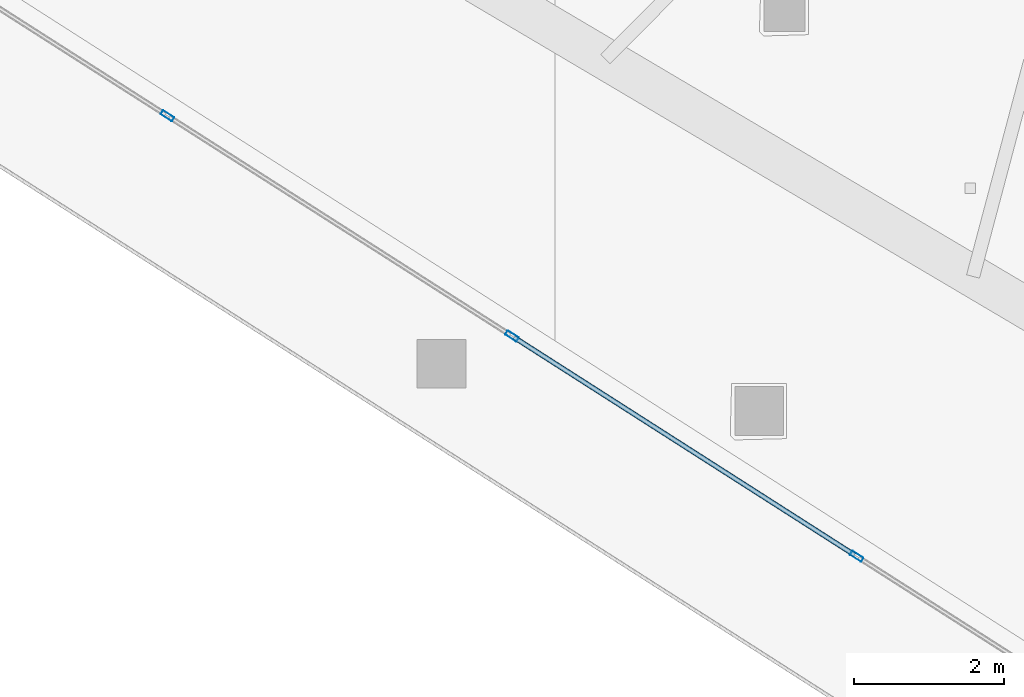
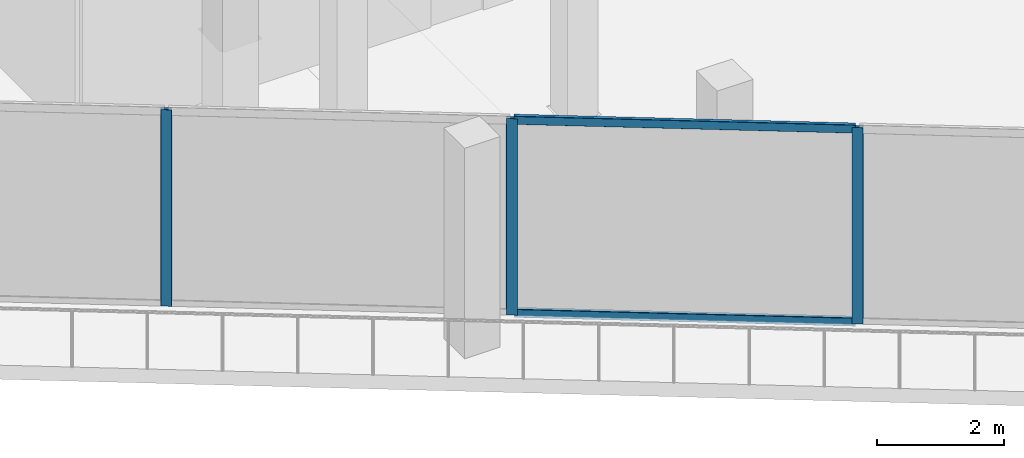
# One storey, part 2 of 38: 5 members, 1 element without a shape of its own.
"""IFC4 building model written with IfcOpenShell, lengths in metres."""

from ifc_helpers import new_model, si_unit, direction, frame, origin, origin_2d, place, context, subcontext, project, spatial, hollow_rectangle, extrude, material, layer, layer_set, material_profile, profile_set, type_object, element, aggregate, save


model = new_model("IFC4")

# Units and contexts
model_context = context("Model", 3, precision=1e-05, world=origin(), true_north=direction((0.0, 1.0)))
body_context = subcontext(model_context, "Body", "Model", "MODEL_VIEW")
ifc_project = project(units=[si_unit("LENGTHUNIT", "METRE"), si_unit("AREAUNIT", "SQUARE_METRE"), si_unit("VOLUMEUNIT", "CUBIC_METRE"), si_unit("PLANEANGLEUNIT", "RADIAN"), si_unit("MASSUNIT", "GRAM", prefix="KILO")], contexts=[model_context])

# Site, building, storey
site_placement = place(None, origin())
site = spatial("IfcSite", under=ifc_project, at=site_placement, CompositionType="ELEMENT")
building_placement = place(site_placement, origin())
building = spatial("IfcBuilding", under=site, at=building_placement, Name="Qorvath Tower", CompositionType="ELEMENT")
storey_placement = place(building_placement, frame((0.0, 0.0, 134.10009765625)))
storey = spatial("IfcBuildingStorey", under=building, at=storey_placement, Name="L30", CompositionType="ELEMENT", Elevation=134.10009765625)

# Curtain wall, members
ifc_material_1 = material(Name="Anodised aluminium and triple low-E glass", Category="aluminium")
ifc_layer = layer(ifc_material_1, 0.179931640625)
ifc_layer_set = layer_set([ifc_layer], Name="CW-SYS-3")
curtain_wall_type = type_object("IfcCurtainWallType", Name="CW-SYS-3", PredefinedType="NOTDEFINED", material=ifc_layer_set)
curtain_wall_placement = place(storey_placement, origin())
curtain_wall = element("IfcCurtainWall", 1, at=curtain_wall_placement, inside=storey, type_object=curtain_wall_type, Name="Curtain Wall CW-3 CW-T-L30-2.1", PredefinedType="NOTDEFINED")
ifc_material_2 = material(Name="Anodised aluminium 6063-T6", Category="aluminium")
ifc_material_profile_1 = material_profile(ifc_material_2, hollow_rectangle(XDim=0.06494140625, YDim=0.179931640625, WallThickness=0.00341796875, InnerFilletRadius=0.00341796875, OuterFilletRadius=0.007080078125, at=origin_2d()), Name="CWM 180x65")
ifc_profile_set_1 = profile_set([ifc_material_profile_1], Name="Anodised aluminium 6063-T6")
member_type_1 = type_object("IfcMemberType", Name="CWM-180", PredefinedType="MULLION", material=ifc_profile_set_1)
member_1_placement = place(storey_placement, frame((-38.90625, -15.523193359375, 0.0), z_axis=(0.0, 0.0, 1.0), x_axis=(0.538534399095, 0.842603525385, 0.0)))
member_1 = element("IfcMember", 2, at=member_1_placement, type_object=member_type_1, Name="CW-3 mullion 5", PredefinedType="MULLION", context=body_context, shape_type="SweptSolid", body=[
    extrude(hollow_rectangle(XDim=0.06494140625, YDim=0.179931640625, WallThickness=0.00341796875, InnerFilletRadius=0.00341796875, OuterFilletRadius=0.007080078125, at=origin_2d()), origin(), (0.0, 0.0, 1.0), 3.77978515625),
])
member_2_placement = place(storey_placement, frame((-34.31103515625, -18.460205078125, 0.0), z_axis=(0.0, 0.0, 1.0), x_axis=(0.538534399095, 0.842603525385, 0.0)))
member_2 = element("IfcMember", 3, at=member_2_placement, type_object=member_type_1, Name="CW-3 mullion 6", PredefinedType="MULLION", context=body_context, shape_type="SweptSolid", body=[
    extrude(hollow_rectangle(XDim=0.06494140625, YDim=0.179931640625, WallThickness=0.00341796875, InnerFilletRadius=0.00341796875, OuterFilletRadius=0.007080078125, at=origin_2d()), origin(), (0.0, 0.0, 1.0), 3.77978515625),
])
member_3_placement = place(storey_placement, frame((-29.716064453125, -21.39697265625, 0.0), z_axis=(0.0, 0.0, 1.0), x_axis=(0.538534399095, 0.842603525385, 0.0)))
member_3 = element("IfcMember", 4, at=member_3_placement, type_object=member_type_1, Name="CW-3 mullion 7", PredefinedType="MULLION", context=body_context, shape_type="SweptSolid", body=[
    extrude(hollow_rectangle(XDim=0.06494140625, YDim=0.179931640625, WallThickness=0.00341796875, InnerFilletRadius=0.00341796875, OuterFilletRadius=0.007080078125, at=origin_2d()), origin(), (0.0, 0.0, 1.0), 3.77978515625),
])
ifc_material_3 = material(Name="Anodised aluminium 6063-T6", Category="aluminium")
ifc_material_profile_2 = material_profile(ifc_material_3, hollow_rectangle(XDim=0.06494140625, YDim=0.159912109375, WallThickness=0.00341796875, InnerFilletRadius=0.00341796875, OuterFilletRadius=0.007080078125, at=origin_2d()), Name="CWT 160x65")
ifc_profile_set_2 = profile_set([ifc_material_profile_2], Name="Anodised aluminium 6063-T6")
member_type_2 = type_object("IfcMemberType", Name="CWT-160", PredefinedType="USERDEFINED", material=ifc_profile_set_2)
member_4_placement = place(storey_placement, frame((-34.28369140625, -18.4775390625, 0.032470703125), z_axis=(0.842602030071, -0.538536738691, 0.0), x_axis=(0.538536738691, 0.842602030071, 0.0)))
member_4 = element("IfcMember", 5, at=member_4_placement, type_object=member_type_2, Name="CW-3 transom 6.1", ObjectType="TRANSOM", PredefinedType="USERDEFINED", context=body_context, shape_type="SweptSolid", body=[
    extrude(hollow_rectangle(XDim=0.06494140625, YDim=0.159912109375, WallThickness=0.00341796875, InnerFilletRadius=0.00341796875, OuterFilletRadius=0.007080078125, at=origin_2d()), origin(), (0.0, 0.0, 1.0), 5.388427734375),
])
member_5_placement = place(storey_placement, frame((-34.28369140625, -18.4775390625, 3.747314453125), z_axis=(0.842602030071, -0.538536738691, 0.0), x_axis=(0.538536738691, 0.842602030071, 0.0)))
member_5 = element("IfcMember", 6, at=member_5_placement, type_object=member_type_2, Name="CW-3 transom 6.2", ObjectType="TRANSOM", PredefinedType="USERDEFINED", context=body_context, shape_type="SweptSolid", body=[
    extrude(hollow_rectangle(XDim=0.06494140625, YDim=0.159912109375, WallThickness=0.00341796875, InnerFilletRadius=0.00341796875, OuterFilletRadius=0.007080078125, at=origin_2d()), origin(), (0.0, 0.0, 1.0), 5.388427734375),
])
aggregate(curtain_wall, [member_1, member_2, member_3, member_4, member_5])

save(model, "model.ifc")
